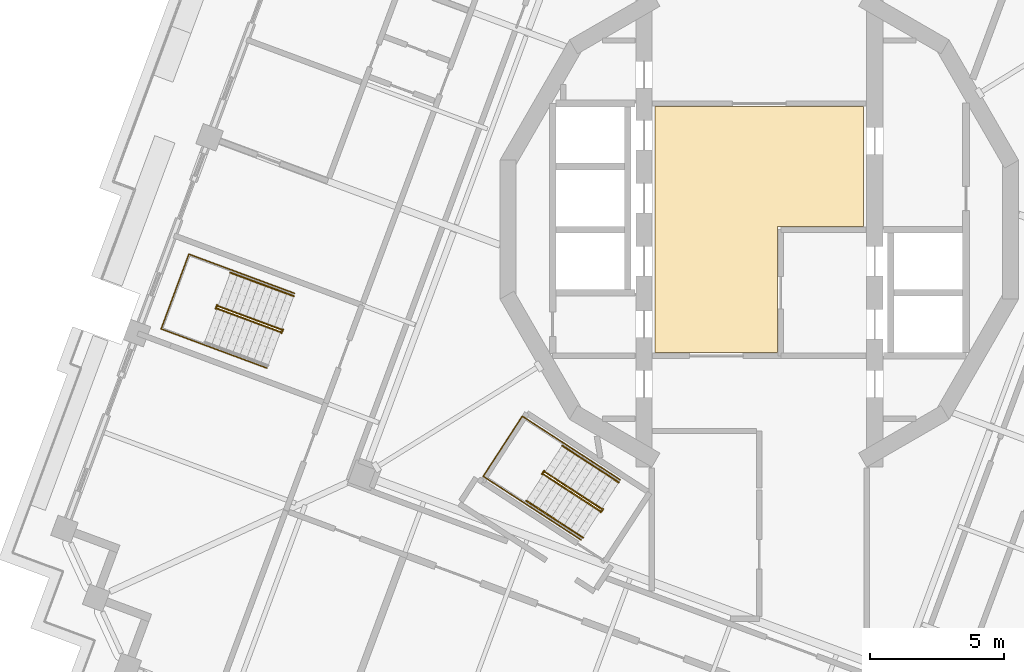
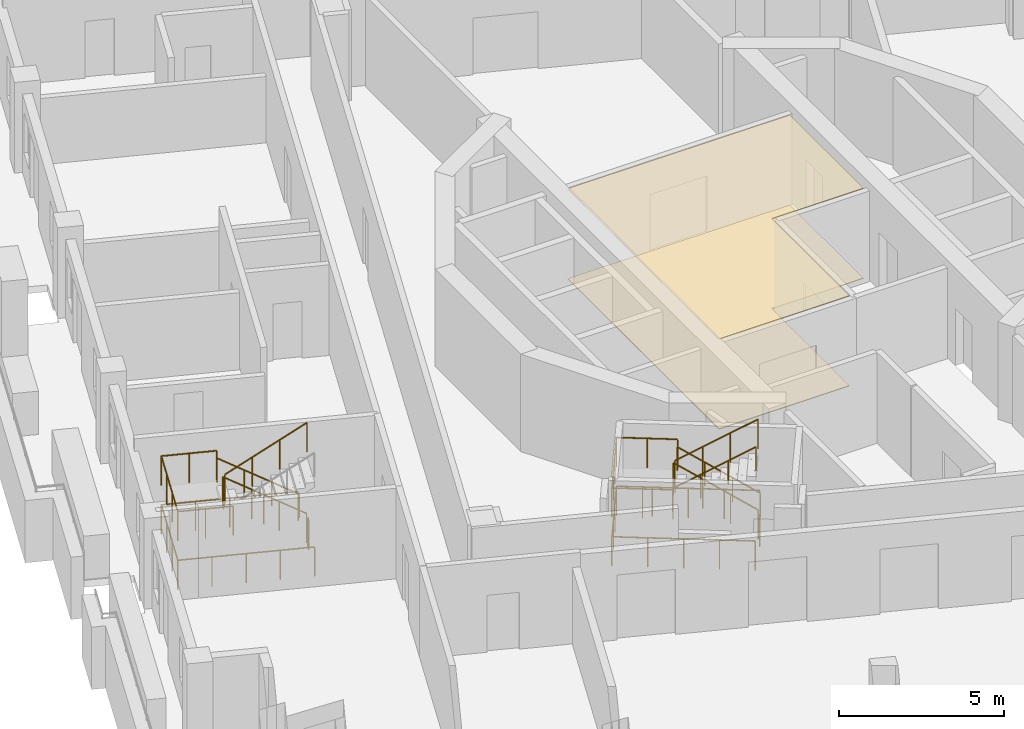
# One storey, part 12 of 18: 13 railings, 2 coverings.
"""IFC4 building model written with IfcOpenShell, lengths in metres."""

import ifcopenshell
import ifcopenshell.guid

model = None  # the IFC model being written
_history = None  # IfcOwnerHistory: only IFC2X3 demands one
_inside = {}  # id of a spatial element -> (the spatial element, [elements in it])
_under = {}  # id of a project, library or spatial element -> (it, [spatial elements below it])
_declared = {}  # id of a project -> (the project, [libraries it declares])
_typed = {}  # id of a type object -> (the type object, [elements of that type])
_made_of = {}  # id of a material, layer set ... -> (it, [elements and type objects made of it])


def new_model(schema):
    """Start an empty IFC model of exactly this schema.

    Asked for "IFC4X3", IfcOpenShell would pick the latest addendum, in which some entities
    have other attributes; the version numbers below select the first issue.
    IFC2X3 requires an IfcOwnerHistory on every rooted entity: one is made here for all.
    """
    global model, _history
    if schema == "IFC4X3":
        model = ifcopenshell.file(schema_version=(4, 3, 0, 0))
    else:
        model = ifcopenshell.file(schema=schema)
    _inside.clear()
    _under.clear()
    _declared.clear()
    _typed.clear()
    _made_of.clear()
    _history = None
    if model.schema == "IFC2X3":
        org = make("IfcOrganization", Name="unknown")
        user = make(
            "IfcPersonAndOrganization",
            ThePerson=make("IfcPerson", FamilyName="unknown"),
            TheOrganization=org,
        )
        app = make(
            "IfcApplication",
            ApplicationDeveloper=org,
            Version="unknown",
            ApplicationFullName="unknown",
            ApplicationIdentifier="unknown",
        )
        _history = make(
            "IfcOwnerHistory",
            OwningUser=user,
            OwningApplication=app,
            ChangeAction="ADDED",
            CreationDate=0,
        )
    return model


def make(cls, **values):
    """One entity of the class cls with the attributes given. An attribute that is None is left unset."""
    return model.create_entity(
        cls, **{name: value for name, value in values.items() if value is not None}
    )


def rooted(cls, **values):
    """An entity with a GlobalId (a new one), such as an element, a storey or a relation."""
    return make(cls, GlobalId=ifcopenshell.guid.new(), OwnerHistory=_history, **values)


def si_unit(unit_type, name, prefix=None):
    """IfcSIUnit, for example si_unit("LENGTHUNIT", "METRE", prefix="MILLI")."""
    return make("IfcSIUnit", UnitType=unit_type, Prefix=prefix, Name=name)


def assignment(units):
    """IfcUnitAssignment: the units of a project."""
    return None if units is None else make("IfcUnitAssignment", Units=units)


def point(xyz):
    """IfcCartesianPoint."""
    return None if xyz is None else make("IfcCartesianPoint", Coordinates=xyz)


def direction(xyz):
    """IfcDirection."""
    return None if xyz is None else make("IfcDirection", DirectionRatios=xyz)


def frame(location, z_axis=None, x_axis=None):
    """IfcAxis2Placement3D, a coordinate frame: its origin and axes. An axis left out is left unset."""
    return make(
        "IfcAxis2Placement3D",
        Location=point(location),
        Axis=direction(z_axis),
        RefDirection=direction(x_axis),
    )


def frame_2d(location, x_axis=None):
    """IfcAxis2Placement2D, a coordinate frame in the plane: its origin and x axis."""
    return make(
        "IfcAxis2Placement2D", Location=point(location), RefDirection=direction(x_axis)
    )


def origin():
    """The frame at (0, 0, 0) with its axes left unset."""
    return frame((0.0, 0.0, 0.0))


def origin_2d():
    """The frame at (0, 0) in the plane with its x axis left unset."""
    return frame_2d((0.0, 0.0))


def place(relative_to, where):
    """IfcLocalPlacement: puts the frame where relative to a parent placement (None: the world)."""
    return make(
        "IfcLocalPlacement", PlacementRelTo=relative_to, RelativePlacement=where
    )


def context(
    kind, dimensions, precision=None, world=None, true_north=None, identifier=None
):
    """IfcGeometricRepresentationContext, for example the 3D "Model" context."""
    return make(
        "IfcGeometricRepresentationContext",
        ContextIdentifier=identifier,
        ContextType=kind,
        CoordinateSpaceDimension=dimensions,
        Precision=precision,
        WorldCoordinateSystem=world,
        TrueNorth=true_north,
    )


def subcontext(parent, identifier, kind, view, scale=None):
    """IfcGeometricRepresentationSubContext, for example "Body" below "Model"."""
    return make(
        "IfcGeometricRepresentationSubContext",
        ContextIdentifier=identifier,
        ContextType=kind,
        ParentContext=parent,
        TargetScale=scale,
        TargetView=view,
    )


def project(units=None, contexts=None):
    """IfcProject with its units and contexts."""
    return rooted(
        "IfcProject",
        Name="project",
        RepresentationContexts=contexts,
        UnitsInContext=assignment(units),
    )


def spatial(cls, under=None, at=None, **own):
    """A site, building, storey or space (cls), placed at a placement, below another one or the project."""
    s = rooted(cls, ObjectPlacement=at, **own)
    if under is not None:
        _under.setdefault(under.id(), (under, []))[1].append(s)
    return s


def polyline(points):
    """IfcPolyline through the points."""
    return make("IfcPolyline", Points=[point(p) for p in points])


def profile(cls, at=None, kind="AREA", **sizes):
    """A parametric profile (cls). Its sizes go by their IFC names, for example OverallWidth=200.0."""
    return make(cls, ProfileType=kind, Position=at, **sizes)


def circle(**sizes):
    """IfcCircleProfileDef."""
    return profile("IfcCircleProfileDef", **sizes)


def outline(outer, holes=None, kind="AREA"):
    """IfcArbitraryClosedProfileDef: a profile drawn as a closed curve; with holes, ...WithVoids."""
    if holes is None:
        return make("IfcArbitraryClosedProfileDef", ProfileType=kind, OuterCurve=outer)
    return make(
        "IfcArbitraryProfileDefWithVoids",
        ProfileType=kind,
        OuterCurve=outer,
        InnerCurves=holes,
    )


def extrude(swept, where, along, depth):
    """IfcExtrudedAreaSolid: the profile swept, set in the frame where, extruded along a direction by depth."""
    return make(
        "IfcExtrudedAreaSolid",
        SweptArea=swept,
        Position=where,
        ExtrudedDirection=direction(along),
        Depth=depth,
    )


def shape(context_of_items, identifier, shape_type, items):
    """IfcShapeRepresentation: the items that make up one representation, for example the "Body"."""
    return make(
        "IfcShapeRepresentation",
        ContextOfItems=context_of_items,
        RepresentationIdentifier=identifier,
        RepresentationType=shape_type,
        Items=items,
    )


def material(Name=None, Category=None):
    """IfcMaterial."""
    return make("IfcMaterial", Name=Name, Category=Category)


def layer(
    of_material, thickness, ventilated=None, Name=None, Category=None, Priority=None
):
    """IfcMaterialLayer: one layer of a wall or slab, of a material (None: an air gap)."""
    return make(
        "IfcMaterialLayer",
        Material=of_material,
        LayerThickness=thickness,
        IsVentilated=ventilated,
        Name=Name,
        Category=Category,
        Priority=Priority,
    )


def layer_set(layers, Name=None):
    """IfcMaterialLayerSet."""
    return make("IfcMaterialLayerSet", MaterialLayers=layers, LayerSetName=Name)


def made_of(thing, what):
    """Note that an element or type object is made of a material, layer set ...; save() writes the relation."""
    if what is not None:
        _made_of.setdefault(what.id(), (what, []))[1].append(thing)
    return thing


def type_object(cls, material=None, **own):
    """A type object (cls), such as IfcWallType, which elements share."""
    return made_of(rooted(cls, **own), material)


def element(
    cls,
    number,
    at=None,
    inside=None,
    cuts=None,
    type_object=None,
    material=None,
    context=None,
    identifier="Body",
    shape_type=None,
    held_by="IfcProductDefinitionShape",
    body=None,
    shapes=None,
    **own,
):
    """One element of the class cls, such as IfcWall. Its Tag is "e" and its number.

    at: its placement. inside: the storey or other place that contains it. cuts: it is an
    opening in that element (IfcRelVoidsElement). A single representation is given by context,
    identifier, shape_type and body (its items); several are given by shapes. held_by: the class
    of the entity that holds the representations. save() writes the other relations.
    """
    e = rooted(cls, Tag="e%d" % number, ObjectPlacement=at, **own)
    if body is not None:
        shapes = [shape(context, identifier, shape_type, body)]
    if shapes is not None:
        e.Representation = make(held_by, Representations=shapes)
    if inside is not None:
        _inside.setdefault(inside.id(), (inside, []))[1].append(e)
    if cuts is not None:
        rooted(
            "IfcRelVoidsElement", RelatingBuildingElement=cuts, RelatedOpeningElement=e
        )
    if type_object is not None:
        _typed.setdefault(type_object.id(), (type_object, []))[1].append(e)
    return made_of(e, material)


def aggregate(whole, parts):
    """IfcRelAggregates: a whole, such as a stair, and the parts it consists of."""
    return rooted("IfcRelAggregates", RelatingObject=whole, RelatedObjects=parts)


def save(model, path):
    """Write the relations noted so far, then the file.

    IfcRelAggregates (storeys below a building ...), IfcRelContainedInSpatialStructure (elements
    in a storey), IfcRelDefinesByType, IfcRelAssociatesMaterial and IfcRelDeclares: one each for
    every whole, place, type object, material and project.
    """
    for whole, parts in _under.values():
        aggregate(whole, parts)
    for where, things in _inside.values():
        rooted(
            "IfcRelContainedInSpatialStructure",
            RelatedElements=things,
            RelatingStructure=where,
        )
    for kind, things in _typed.values():
        rooted("IfcRelDefinesByType", RelatedObjects=things, RelatingType=kind)
    for what, things in _made_of.values():
        rooted("IfcRelAssociatesMaterial", RelatedObjects=things, RelatingMaterial=what)
    for by, libraries in _declared.values():
        rooted("IfcRelDeclares", RelatingContext=by, RelatedDefinitions=libraries)
    model.write(path)


model = new_model("IFC4")

# Units and contexts
model_context = context("Model", 3, precision=1e-05, world=origin(), true_north=direction((0.0, 1.0)))
body_context = subcontext(model_context, "Body", "Model", "MODEL_VIEW")
ifc_project = project(units=[si_unit("LENGTHUNIT", "METRE"), si_unit("AREAUNIT", "SQUARE_METRE"), si_unit("VOLUMEUNIT", "CUBIC_METRE"), si_unit("PLANEANGLEUNIT", "RADIAN"), si_unit("MASSUNIT", "GRAM", prefix="KILO")], contexts=[model_context])

# Site, building, storey
site_placement = place(None, origin())
site = spatial("IfcSite", under=ifc_project, at=site_placement, CompositionType="ELEMENT")
building_placement = place(site_placement, origin())
building = spatial("IfcBuilding", under=site, at=building_placement, Name="Cantera Rosa Tower", CompositionType="ELEMENT")
storey_placement = place(building_placement, frame((0.0, 0.0, 316.89990234375)))
storey = spatial("IfcBuildingStorey", under=building, at=storey_placement, Name="L70", CompositionType="ELEMENT", Elevation=316.89990234375)

# Railings
ifc_material_1 = material(Name="Steel S355J2 (EN 10025-2)", Category="steel")
railing_type_1 = type_object("IfcRailingType", Name="STAIR GUARD 1100", PredefinedType="GUARDRAIL", material=ifc_material_1)
railing_1_placement = place(storey_placement, frame((-17.802490234375, -3.721923828125, 0.18017578125)))
element("IfcRailing", 1, at=railing_1_placement, inside=storey, type_object=railing_type_1, Name="L70 ST-63 stair guard 1", PredefinedType="GUARDRAIL", context=body_context, shape_type="SweptSolid", body=[
    extrude(circle(Radius=0.02392578125, at=origin_2d()), frame((0.0, 0.0, 1.076171875), z_axis=(-0.78878233546, 0.292319685639, 0.540713998944), x_axis=(-0.347500508527, -0.937679794265, 0.0)), (0.0, 0.0, 1.0), 2.995849609375),
    extrude(circle(Radius=0.02392578125, at=origin_2d()), frame((-2.363037109375, 0.875732421875, 2.69580078125), z_axis=(-0.671593765389, 0.740919573429, 0.0), x_axis=(-0.740919573429, -0.671593765389, 0.0)), (0.0, 0.0, 1.0), 0.056396484375),
    extrude(circle(Radius=0.02392578125, at=origin_2d()), frame((-2.40087890625, 0.91748046875, 2.69580078125), z_axis=(-0.348268249601, -0.937394914814, 0.0), x_axis=(0.937394914814, -0.348268249601, 0.0)), (0.0, 0.0, 1.0), 0.14990234375),
    extrude(circle(Radius=0.02099609375, at=origin_2d()), origin(), (0.0, 0.0, 1.0), 1.052001953125),
    extrude(circle(Radius=0.02099609375, at=origin_2d()), frame((-0.78759765625, 0.2919921875, 0.5400390625)), (0.0, 0.0, 1.0), 1.052001953125),
    extrude(circle(Radius=0.02099609375, at=origin_2d()), frame((-1.575439453125, 0.583740234375, 1.079833984375)), (0.0, 0.0, 1.0), 1.052001953125),
    extrude(circle(Radius=0.02099609375, at=origin_2d()), frame((-2.363037109375, 0.875732421875, 1.619873046875)), (0.0, 0.0, 1.0), 1.052001953125),
    extrude(circle(Radius=0.02099609375, at=origin_2d()), frame((-2.40087890625, 0.91748046875, 1.619873046875)), (0.0, 0.0, 1.0), 1.052001953125),
    extrude(circle(Radius=0.02099609375, at=origin_2d()), frame((-2.453125, 0.77685546875, 1.619873046875)), (0.0, 0.0, 1.0), 1.052001953125),
])
railing_2_placement = place(storey_placement, frame((-20.19970703125, -2.93798828125, 1.97998046875)))
element("IfcRailing", 2, at=railing_2_placement, inside=storey, type_object=railing_type_1, Name="L70 ST-63 stair guard 2", PredefinedType="GUARDRAIL", context=body_context, shape_type="SweptSolid", body=[
    extrude(circle(Radius=0.02392578125, at=origin_2d()), frame((0.0, 0.0, 1.076171875), z_axis=(0.788747577403, -0.292306804437, 0.540771662738), x_axis=(0.347500508527, 0.937679794265, 0.0)), (0.0, 0.0, 1.0), 2.995849609375),
    extrude(circle(Radius=0.02099609375, at=origin_2d()), origin(), (0.0, 0.0, 1.0), 1.052001953125),
    extrude(circle(Radius=0.02099609375, at=origin_2d()), frame((0.78759765625, -0.2919921875, 0.5400390625)), (0.0, 0.0, 1.0), 1.052001953125),
    extrude(circle(Radius=0.02099609375, at=origin_2d()), frame((1.575439453125, -0.583740234375, 1.080078125)), (0.0, 0.0, 1.0), 1.052001953125),
    extrude(circle(Radius=0.02099609375, at=origin_2d()), frame((2.363037109375, -0.875732421875, 1.6201171875)), (0.0, 0.0, 1.0), 1.052001953125),
])
railing_3_placement = place(storey_placement, frame((-17.74658203125, -3.71484375, 0.0)))
element("IfcRailing", 3, at=railing_3_placement, inside=storey, type_object=railing_type_1, Name="L70 ST-63 stair guard 3", PredefinedType="GUARDRAIL", context=body_context, shape_type="SweptSolid", body=[
    extrude(circle(Radius=0.02392578125, at=origin_2d()), frame((0.0, 0.0, 1.076171875), z_axis=(-0.348268249601, -0.937394914814, 0.0), x_axis=(0.937394914814, -0.348268249601, 0.0)), (0.0, 0.0, 1.0), 0.14990234375),
    extrude(circle(Radius=0.02099609375, at=origin_2d()), origin(), (0.0, 0.0, 1.0), 1.052001953125),
    extrude(circle(Radius=0.02099609375, at=origin_2d()), frame((-0.05224609375, -0.140625, 0.0)), (0.0, 0.0, 1.0), 1.052001953125),
])
railing_4_placement = place(storey_placement, frame((-17.31494140625, -2.37109375, 0.0)))
element("IfcRailing", 4, at=railing_4_placement, inside=storey, type_object=railing_type_1, Name="L70 ST-63 stair guard 4", PredefinedType="GUARDRAIL", context=body_context, shape_type="SweptSolid", body=[
    extrude(circle(Radius=0.02392578125, at=origin_2d()), frame((0.0, 0.0, 1.076171875), z_axis=(-0.937682096729, 0.3474942956, 0.0), x_axis=(-0.3474942956, -0.937682096729, 0.0)), (0.0, 0.0, 1.0), 4.197998046875),
    extrude(circle(Radius=0.02392578125, at=origin_2d()), frame((-3.936279296875, 1.458740234375, 1.076171875), z_axis=(-0.347472311651, -0.937690243436, 0.0), x_axis=(0.937690243436, -0.347472311651, 0.0)), (0.0, 0.0, 1.0), 2.969970703125),
    extrude(circle(Radius=0.02392578125, at=origin_2d()), frame((-4.96826171875, -1.326171875, 1.076171875), z_axis=(0.937682096729, -0.3474942956, 0.0), x_axis=(0.3474942956, 0.937682096729, 0.0)), (0.0, 0.0, 1.0), 4.197998046875),
    extrude(circle(Radius=0.02099609375, at=origin_2d()), origin(), (0.0, 0.0, 1.0), 1.052001953125),
    extrude(circle(Radius=0.02099609375, at=origin_2d()), frame((-0.984130859375, 0.36474609375, 0.0)), (0.0, 0.0, 1.0), 1.052001953125),
    extrude(circle(Radius=0.02099609375, at=origin_2d()), frame((-1.96826171875, 0.7294921875, 0.0)), (0.0, 0.0, 1.0), 1.052001953125),
    extrude(circle(Radius=0.02099609375, at=origin_2d()), frame((-2.9521484375, 1.093994140625, 0.0)), (0.0, 0.0, 1.0), 1.052001953125),
    extrude(circle(Radius=0.02099609375, at=origin_2d()), frame((-3.936279296875, 1.458740234375, 0.0)), (0.0, 0.0, 1.0), 1.052001953125),
    extrude(circle(Radius=0.02099609375, at=origin_2d()), frame((-4.2802734375, 0.530517578125, 0.0)), (0.0, 0.0, 1.0), 1.052001953125),
    extrude(circle(Radius=0.02099609375, at=origin_2d()), frame((-4.624267578125, -0.39794921875, 0.0)), (0.0, 0.0, 1.0), 1.052001953125),
    extrude(circle(Radius=0.02099609375, at=origin_2d()), frame((-4.96826171875, -1.326171875, 0.0)), (0.0, 0.0, 1.0), 1.052001953125),
    extrude(circle(Radius=0.02099609375, at=origin_2d()), frame((-3.984130859375, -1.69091796875, 0.0)), (0.0, 0.0, 1.0), 1.052001953125),
    extrude(circle(Radius=0.02099609375, at=origin_2d()), frame((-3.0, -2.0556640625, 0.0)), (0.0, 0.0, 1.0), 1.052001953125),
    extrude(circle(Radius=0.02099609375, at=origin_2d()), frame((-2.01611328125, -2.420166015625, 0.0)), (0.0, 0.0, 1.0), 1.052001953125),
    extrude(circle(Radius=0.02099609375, at=origin_2d()), frame((-1.031982421875, -2.784912109375, 0.0)), (0.0, 0.0, 1.0), 1.052001953125),
])
railing_5_placement = place(storey_placement, frame((-19.6552734375, -1.50390625, 1.800048828125)))
element("IfcRailing", 5, at=railing_5_placement, inside=storey, type_object=railing_type_1, Name="L70 ST-63 stair guard 5", PredefinedType="GUARDRAIL", context=body_context, shape_type="SweptSolid", body=[
    extrude(circle(Radius=0.02392578125, at=origin_2d()), frame((0.0, 0.0, 1.076171875), z_axis=(-0.937660486946, 0.347552602091, 0.0), x_axis=(-0.347552602091, -0.937660486946, 0.0)), (0.0, 0.0, 1.0), 1.7021484375),
    extrude(circle(Radius=0.02392578125, at=origin_2d()), frame((-1.595947265625, 0.591552734375, 1.076171875), z_axis=(-0.347472311651, -0.937690243436, 0.0), x_axis=(0.937690243436, -0.347472311651, 0.0)), (0.0, 0.0, 1.0), 2.969970703125),
    extrude(circle(Radius=0.02392578125, at=origin_2d()), frame((-2.6279296875, -2.193359375, 1.076171875), z_axis=(0.937660486946, -0.347552602091, 0.0), x_axis=(0.347552602091, 0.937660486946, 0.0)), (0.0, 0.0, 1.0), 1.7021484375),
    extrude(circle(Radius=0.02099609375, at=origin_2d()), origin(), (0.0, 0.0, 1.0), 1.052001953125),
    extrude(circle(Radius=0.02099609375, at=origin_2d()), frame((-0.7978515625, 0.2958984375, 0.0)), (0.0, 0.0, 1.0), 1.052001953125),
    extrude(circle(Radius=0.02099609375, at=origin_2d()), frame((-1.595947265625, 0.591552734375, 0.0)), (0.0, 0.0, 1.0), 1.052001953125),
    extrude(circle(Radius=0.02099609375, at=origin_2d()), frame((-1.93994140625, -0.336669921875, 0.0)), (0.0, 0.0, 1.0), 1.052001953125),
    extrude(circle(Radius=0.02099609375, at=origin_2d()), frame((-2.283935546875, -1.26513671875, 0.0)), (0.0, 0.0, 1.0), 1.052001953125),
    extrude(circle(Radius=0.02099609375, at=origin_2d()), frame((-2.6279296875, -2.193359375, 0.0)), (0.0, 0.0, 1.0), 1.052001953125),
    extrude(circle(Radius=0.02099609375, at=origin_2d()), frame((-1.830078125, -2.4892578125, 0.0)), (0.0, 0.0, 1.0), 1.052001953125),
    extrude(circle(Radius=0.02099609375, at=origin_2d()), frame((-1.031982421875, -2.784912109375, 0.0)), (0.0, 0.0, 1.0), 1.052001953125),
])
railing_6_placement = place(storey_placement, frame((-5.873291015625, -10.403076171875, 0.18017578125)))
element("IfcRailing", 6, at=railing_6_placement, inside=storey, type_object=railing_type_1, Name="L70 ST-64 stair guard 1", PredefinedType="GUARDRAIL", context=body_context, shape_type="SweptSolid", body=[
    extrude(circle(Radius=0.02392578125, at=origin_2d()), frame((0.0, 0.0, 1.076171875), z_axis=(-0.705493103535, 0.458158972863, 0.540712341684), x_axis=(-0.544644381691, -0.838667095749, 0.0)), (0.0, 0.0, 1.0), 2.995849609375),
    extrude(circle(Radius=0.02392578125, at=origin_2d()), frame((-2.113525390625, 1.37255859375, 2.69580078125), z_axis=(-0.49520304401, 0.868777270193, 0.0), x_axis=(-0.868777270193, -0.49520304401, 0.0)), (0.0, 0.0, 1.0), 0.05615234375),
    extrude(circle(Radius=0.02392578125, at=origin_2d()), frame((-2.141357421875, 1.42138671875, 2.69580078125), z_axis=(-0.544129121324, -0.839001489467, 0.0), x_axis=(0.839001489467, -0.544129121324, 0.0)), (0.0, 0.0, 1.0), 0.14990234375),
    extrude(circle(Radius=0.02099609375, at=origin_2d()), origin(), (0.0, 0.0, 1.0), 1.052001953125),
    extrude(circle(Radius=0.02099609375, at=origin_2d()), frame((-0.70458984375, 0.45751953125, 0.5400390625)), (0.0, 0.0, 1.0), 1.052001953125),
    extrude(circle(Radius=0.02099609375, at=origin_2d()), frame((-1.408935546875, 0.9150390625, 1.079833984375)), (0.0, 0.0, 1.0), 1.052001953125),
    extrude(circle(Radius=0.02099609375, at=origin_2d()), frame((-2.113525390625, 1.37255859375, 1.619873046875)), (0.0, 0.0, 1.0), 1.052001953125),
    extrude(circle(Radius=0.02099609375, at=origin_2d()), frame((-2.141357421875, 1.42138671875, 1.619873046875)), (0.0, 0.0, 1.0), 1.052001953125),
    extrude(circle(Radius=0.02099609375, at=origin_2d()), frame((-2.222900390625, 1.295654296875, 1.619873046875)), (0.0, 0.0, 1.0), 1.052001953125),
])
railing_7_placement = place(storey_placement, frame((-8.040283203125, -9.11279296875, 1.97998046875)))
element("IfcRailing", 7, at=railing_7_placement, inside=storey, type_object=railing_type_1, Name="L70 ST-64 stair guard 2", PredefinedType="GUARDRAIL", context=body_context, shape_type="SweptSolid", body=[
    extrude(circle(Radius=0.02392578125, at=origin_2d()), frame((0.0, 0.0, 1.076171875), z_axis=(0.705462015847, -0.458138784, 0.540770005448), x_axis=(0.544644381691, 0.838667095749, 0.0)), (0.0, 0.0, 1.0), 2.995849609375),
    extrude(circle(Radius=0.02099609375, at=origin_2d()), origin(), (0.0, 0.0, 1.0), 1.052001953125),
    extrude(circle(Radius=0.02099609375, at=origin_2d()), frame((0.70458984375, -0.45751953125, 0.5400390625)), (0.0, 0.0, 1.0), 1.052001953125),
    extrude(circle(Radius=0.02099609375, at=origin_2d()), frame((1.408935546875, -0.9150390625, 1.080078125)), (0.0, 0.0, 1.0), 1.052001953125),
    extrude(circle(Radius=0.02099609375, at=origin_2d()), frame((2.113525390625, -1.37255859375, 1.6201171875)), (0.0, 0.0, 1.0), 1.052001953125),
])
railing_8_placement = place(storey_placement, frame((-5.8173828125, -10.408447265625, 0.0)))
element("IfcRailing", 8, at=railing_8_placement, inside=storey, type_object=railing_type_1, Name="L70 ST-64 stair guard 3", PredefinedType="GUARDRAIL", context=body_context, shape_type="SweptSolid", body=[
    extrude(circle(Radius=0.02392578125, at=origin_2d()), frame((0.0, 0.0, 1.076171875), z_axis=(-0.543386185195, -0.839482848984, 0.0), x_axis=(0.839482848984, -0.543386185195, 0.0)), (0.0, 0.0, 1.0), 0.150146484375),
    extrude(circle(Radius=0.02099609375, at=origin_2d()), origin(), (0.0, 0.0, 1.0), 1.052001953125),
    extrude(circle(Radius=0.02099609375, at=origin_2d()), frame((-0.08154296875, -0.1259765625, 0.0)), (0.0, 0.0, 1.0), 1.052001953125),
])
railing_9_placement = place(storey_placement, frame((-5.18310546875, -9.318115234375, 0.0)))
element("IfcRailing", 9, at=railing_9_placement, inside=storey, type_object=railing_type_1, Name="L70 ST-64 stair guard 4", PredefinedType="GUARDRAIL", context=body_context, shape_type="SweptSolid", body=[
    extrude(circle(Radius=0.02392578125, at=origin_2d()), frame((0.0, 0.0, 1.076171875), z_axis=(-0.838659072691, 0.544656735746, 0.0), x_axis=(-0.544656735746, -0.838659072691, 0.0)), (0.0, 0.0, 1.0), 4.347900390625),
    extrude(circle(Radius=0.02392578125, at=origin_2d()), frame((-3.646484375, 2.3681640625, 1.076171875), z_axis=(-0.544615466587, -0.838685872991, 0.0), x_axis=(0.838685872991, -0.544615466587, 0.0)), (0.0, 0.0, 1.0), 2.669921875),
    extrude(circle(Radius=0.02392578125, at=origin_2d()), frame((-5.1005859375, 0.12890625, 1.076171875), z_axis=(0.838659072691, -0.544656735746, 0.0), x_axis=(0.544656735746, 0.838659072691, 0.0)), (0.0, 0.0, 1.0), 4.347900390625),
    extrude(circle(Radius=0.02099609375, at=origin_2d()), origin(), (0.0, 0.0, 1.0), 1.052001953125),
    extrude(circle(Radius=0.02099609375, at=origin_2d()), frame((-0.91162109375, 0.592041015625, 0.0)), (0.0, 0.0, 1.0), 1.052001953125),
    extrude(circle(Radius=0.02099609375, at=origin_2d()), frame((-1.8232421875, 1.18408203125, 0.0)), (0.0, 0.0, 1.0), 1.052001953125),
    extrude(circle(Radius=0.02099609375, at=origin_2d()), frame((-2.73486328125, 1.776123046875, 0.0)), (0.0, 0.0, 1.0), 1.052001953125),
    extrude(circle(Radius=0.02099609375, at=origin_2d()), frame((-3.646484375, 2.3681640625, 0.0)), (0.0, 0.0, 1.0), 1.052001953125),
    extrude(circle(Radius=0.02099609375, at=origin_2d()), frame((-4.131103515625, 1.621826171875, 0.0)), (0.0, 0.0, 1.0), 1.052001953125),
    extrude(circle(Radius=0.02099609375, at=origin_2d()), frame((-4.615966796875, 0.875244140625, 0.0)), (0.0, 0.0, 1.0), 1.052001953125),
    extrude(circle(Radius=0.02099609375, at=origin_2d()), frame((-5.1005859375, 0.12890625, 0.0)), (0.0, 0.0, 1.0), 1.052001953125),
    extrude(circle(Radius=0.02099609375, at=origin_2d()), frame((-4.18896484375, -0.463134765625, 0.0)), (0.0, 0.0, 1.0), 1.052001953125),
    extrude(circle(Radius=0.02099609375, at=origin_2d()), frame((-3.27734375, -1.05517578125, 0.0)), (0.0, 0.0, 1.0), 1.052001953125),
    extrude(circle(Radius=0.02099609375, at=origin_2d()), frame((-2.36572265625, -1.647216796875, 0.0)), (0.0, 0.0, 1.0), 1.052001953125),
    extrude(circle(Radius=0.02099609375, at=origin_2d()), frame((-1.4541015625, -2.2392578125, 0.0)), (0.0, 0.0, 1.0), 1.052001953125),
])
railing_10_placement = place(storey_placement, frame((-7.2763671875, -7.95849609375, 1.800048828125)))
element("IfcRailing", 10, at=railing_10_placement, inside=storey, type_object=railing_type_1, Name="L70 ST-64 stair guard 5", PredefinedType="GUARDRAIL", context=body_context, shape_type="SweptSolid", body=[
    extrude(circle(Radius=0.02392578125, at=origin_2d()), frame((0.0, 0.0, 1.076171875), z_axis=(-0.838702547883, 0.544589787064, 0.0), x_axis=(-0.544589787064, -0.838702547883, 0.0)), (0.0, 0.0, 1.0), 1.85205078125),
    extrude(circle(Radius=0.02392578125, at=origin_2d()), frame((-1.55322265625, 1.008544921875, 1.076171875), z_axis=(-0.544615466587, -0.838685872991, 0.0), x_axis=(0.838685872991, -0.544615466587, 0.0)), (0.0, 0.0, 1.0), 2.669921875),
    extrude(circle(Radius=0.02392578125, at=origin_2d()), frame((-3.00732421875, -1.230712890625, 1.076171875), z_axis=(0.838702547883, -0.544589787064, 0.0), x_axis=(0.544589787064, 0.838702547883, 0.0)), (0.0, 0.0, 1.0), 1.85205078125),
    extrude(circle(Radius=0.02099609375, at=origin_2d()), origin(), (0.0, 0.0, 1.0), 1.052001953125),
    extrude(circle(Radius=0.02099609375, at=origin_2d()), frame((-0.776611328125, 0.50439453125, 0.0)), (0.0, 0.0, 1.0), 1.052001953125),
    extrude(circle(Radius=0.02099609375, at=origin_2d()), frame((-1.55322265625, 1.008544921875, 0.0)), (0.0, 0.0, 1.0), 1.052001953125),
    extrude(circle(Radius=0.02099609375, at=origin_2d()), frame((-2.037841796875, 0.26220703125, 0.0)), (0.0, 0.0, 1.0), 1.052001953125),
    extrude(circle(Radius=0.02099609375, at=origin_2d()), frame((-2.522705078125, -0.484375, 0.0)), (0.0, 0.0, 1.0), 1.052001953125),
    extrude(circle(Radius=0.02099609375, at=origin_2d()), frame((-3.00732421875, -1.230712890625, 0.0)), (0.0, 0.0, 1.0), 1.052001953125),
    extrude(circle(Radius=0.02099609375, at=origin_2d()), frame((-2.230712890625, -1.73486328125, 0.0)), (0.0, 0.0, 1.0), 1.052001953125),
    extrude(circle(Radius=0.02099609375, at=origin_2d()), frame((-1.4541015625, -2.2392578125, 0.0)), (0.0, 0.0, 1.0), 1.052001953125),
])
ifc_material_2 = material(Name="Steel S355J2 (EN 10025-2)", Category="steel")
railing_type_2 = type_object("IfcRailingType", Name="STAIR HANDRAIL 900", PredefinedType="HANDRAIL", material=ifc_material_2)
railing_11_placement = place(storey_placement, frame((-17.341796875, -2.478515625, 0.18017578125)))
element("IfcRailing", 11, at=railing_11_placement, inside=storey, type_object=railing_type_2, Name="L70 ST-63 stair handrail 1", PredefinedType="HANDRAIL", context=body_context, shape_type="SweptSolid", body=[
    extrude(circle(Radius=0.02392578125, at=origin_2d()), frame((0.0, 0.0, 0.8759765625), z_axis=(-0.78878233546, 0.292319685639, 0.540713998944), x_axis=(-0.347500508527, -0.937679794265, 0.0)), (0.0, 0.0, 1.0), 2.995849609375),
    extrude(circle(Radius=0.02099609375, at=origin_2d()), origin(), (0.0, 0.0, 1.0), 0.851806640625),
    extrude(circle(Radius=0.02099609375, at=origin_2d()), frame((-0.78759765625, 0.2919921875, 0.5400390625)), (0.0, 0.0, 1.0), 0.851806640625),
    extrude(circle(Radius=0.02099609375, at=origin_2d()), frame((-1.575439453125, 0.583740234375, 1.079833984375)), (0.0, 0.0, 1.0), 0.851806640625),
    extrude(circle(Radius=0.02099609375, at=origin_2d()), frame((-2.363037109375, 0.875732421875, 1.619873046875)), (0.0, 0.0, 1.0), 0.851806640625),
])
railing_12_placement = place(storey_placement, frame((-5.23291015625, -9.416748046875, 0.18017578125)))
element("IfcRailing", 12, at=railing_12_placement, inside=storey, type_object=railing_type_2, Name="L70 ST-64 stair handrail 1", PredefinedType="HANDRAIL", context=body_context, shape_type="SweptSolid", body=[
    extrude(circle(Radius=0.02392578125, at=origin_2d()), frame((0.0, 0.0, 0.8759765625), z_axis=(-0.705519443793, 0.458094581675, 0.540732529695), x_axis=(-0.544576236413, -0.838711346492, 0.0)), (0.0, 0.0, 1.0), 2.99560546875),
    extrude(circle(Radius=0.02099609375, at=origin_2d()), origin(), (0.0, 0.0, 1.0), 0.851806640625),
    extrude(circle(Radius=0.02099609375, at=origin_2d()), frame((-0.70458984375, 0.45751953125, 0.5400390625)), (0.0, 0.0, 1.0), 0.851806640625),
    extrude(circle(Radius=0.02099609375, at=origin_2d()), frame((-1.408935546875, 0.914794921875, 1.079833984375)), (0.0, 0.0, 1.0), 0.851806640625),
    extrude(circle(Radius=0.02099609375, at=origin_2d()), frame((-2.113525390625, 1.372314453125, 1.619873046875)), (0.0, 0.0, 1.0), 0.851806640625),
])
railing_13_placement = place(storey_placement, frame((-8.6806640625, -10.09912109375, 1.97998046875)))
element("IfcRailing", 13, at=railing_13_placement, inside=storey, type_object=railing_type_2, Name="L70 ST-64 stair handrail 2", PredefinedType="HANDRAIL", context=body_context, shape_type="SweptSolid", body=[
    extrude(circle(Radius=0.02392578125, at=origin_2d()), frame((0.0, 0.0, 0.8759765625), z_axis=(0.705462015847, -0.458138784, 0.540770005448), x_axis=(0.544644381691, 0.838667095749, 0.0)), (0.0, 0.0, 1.0), 2.995849609375),
    extrude(circle(Radius=0.02099609375, at=origin_2d()), origin(), (0.0, 0.0, 1.0), 0.851806640625),
    extrude(circle(Radius=0.02099609375, at=origin_2d()), frame((0.70458984375, -0.45751953125, 0.5400390625)), (0.0, 0.0, 1.0), 0.851806640625),
    extrude(circle(Radius=0.02099609375, at=origin_2d()), frame((1.408935546875, -0.9150390625, 1.080078125)), (0.0, 0.0, 1.0), 0.851806640625),
    extrude(circle(Radius=0.02099609375, at=origin_2d()), frame((2.113525390625, -1.37255859375, 1.6201171875)), (0.0, 0.0, 1.0), 0.851806640625),
])

# Coverings
ifc_material_3 = material(Name="Limestone paving", Category="masonry")
ifc_layer_1 = layer(ifc_material_3, 0.02490234375)
ifc_layer_set_1 = layer_set([ifc_layer_1], Name="STONE FLOOR FINISH 25")
covering_type_1 = type_object("IfcCoveringType", Name="STONE FLOOR FINISH 25", PredefinedType="FLOORING", material=ifc_layer_set_1)
covering_1_placement = place(storey_placement, origin())
element("IfcCovering", 14, at=covering_1_placement, inside=storey, type_object=covering_type_1, Name="STONE FLOOR FINISH L70", PredefinedType="FLOORING", context=body_context, shape_type="SweptSolid", body=[
    extrude(outline(polyline([(3.8798828125, 4.580078125), (3.8798828125, 0.1201171875), (0.679931640625, 0.1201171875), (0.679931640625, -4.580078125), (-3.8798828125, -4.580078125), (-3.8798828125, 4.580078125), (3.8798828125, 4.580078125)])), origin(), (0.0, 0.0, 1.0), 0.025146484375),
])
ifc_material_4 = material(Name="Gypsum ceiling tile")
ifc_layer_2 = layer(ifc_material_4, 0.030029296875)
ifc_layer_set_2 = layer_set([ifc_layer_2], Name="SUSPENDED CEILING 30")
covering_type_2 = type_object("IfcCoveringType", Name="SUSPENDED CEILING 30", PredefinedType="CEILING", material=ifc_layer_set_2)
covering_2_placement = place(storey_placement, frame((0.0, 0.0, 3.320068359375)))
element("IfcCovering", 15, at=covering_2_placement, inside=storey, type_object=covering_type_2, Name="SUSPENDED CEILING L70", PredefinedType="CEILING", context=body_context, shape_type="SweptSolid", body=[
    extrude(outline(polyline([(3.8798828125, 4.580078125), (3.8798828125, 0.1201171875), (0.679931640625, 0.1201171875), (0.679931640625, -4.580078125), (-3.8798828125, -4.580078125), (-3.8798828125, 4.580078125), (3.8798828125, 4.580078125)])), origin(), (0.0, 0.0, 1.0), 0.030029296875),
])

save(model, "model.ifc")
